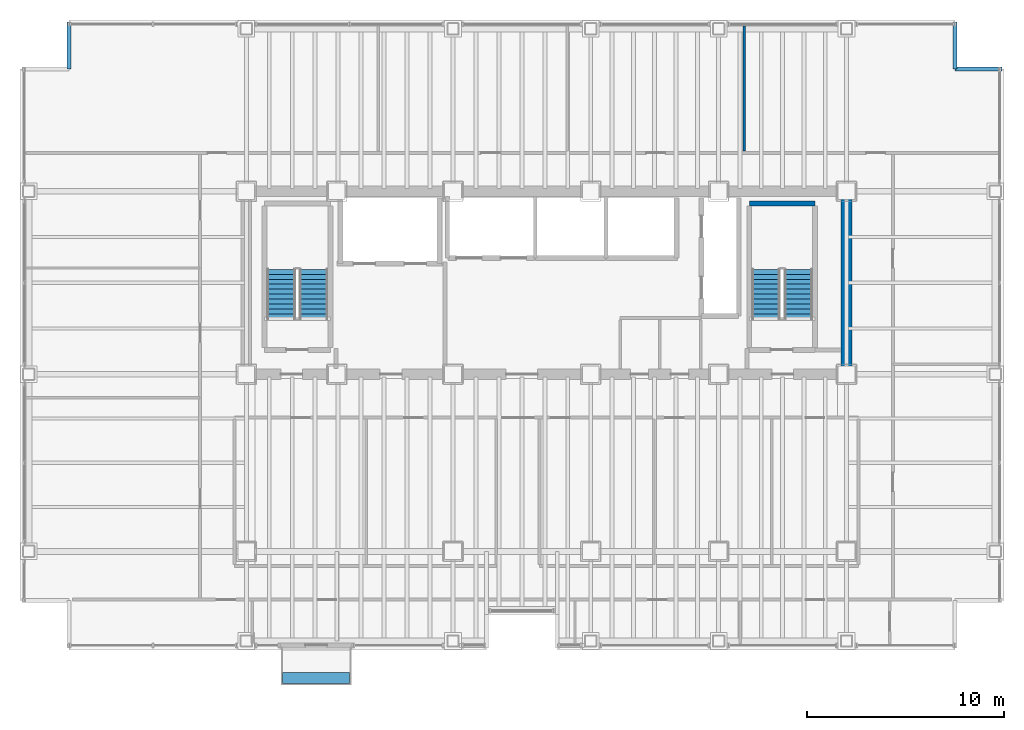
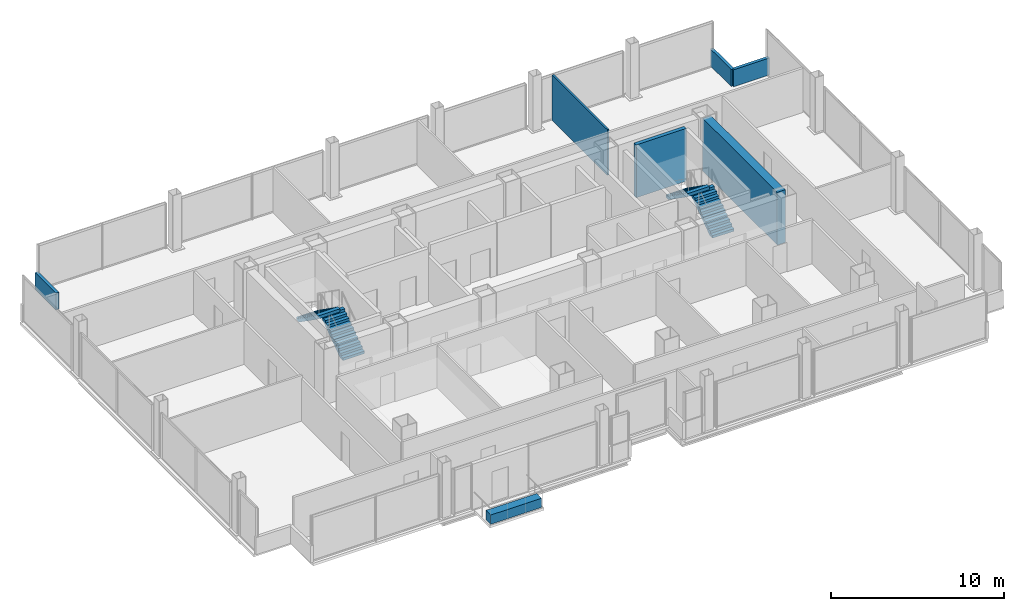
# One storey, part 20 of 21: 6 walls, 4 stair flights, 1 discrete accessory, 2 elements without a shape of their own.
"""IFC4 building model written with IfcOpenShell, lengths in metres."""

import ifcopenshell
import ifcopenshell.guid

model = None  # the IFC model being written
_history = None  # IfcOwnerHistory: only IFC2X3 demands one
_inside = {}  # id of a spatial element -> (the spatial element, [elements in it])
_under = {}  # id of a project, library or spatial element -> (it, [spatial elements below it])
_declared = {}  # id of a project -> (the project, [libraries it declares])
_typed = {}  # id of a type object -> (the type object, [elements of that type])
_made_of = {}  # id of a material, layer set ... -> (it, [elements and type objects made of it])


def new_model(schema):
    """Start an empty IFC model of exactly this schema.

    Asked for "IFC4X3", IfcOpenShell would pick the latest addendum, in which some entities
    have other attributes; the version numbers below select the first issue.
    IFC2X3 requires an IfcOwnerHistory on every rooted entity: one is made here for all.
    """
    global model, _history
    if schema == "IFC4X3":
        model = ifcopenshell.file(schema_version=(4, 3, 0, 0))
    else:
        model = ifcopenshell.file(schema=schema)
    _inside.clear()
    _under.clear()
    _declared.clear()
    _typed.clear()
    _made_of.clear()
    _history = None
    if model.schema == "IFC2X3":
        org = make("IfcOrganization", Name="unknown")
        user = make(
            "IfcPersonAndOrganization",
            ThePerson=make("IfcPerson", FamilyName="unknown"),
            TheOrganization=org,
        )
        app = make(
            "IfcApplication",
            ApplicationDeveloper=org,
            Version="unknown",
            ApplicationFullName="unknown",
            ApplicationIdentifier="unknown",
        )
        _history = make(
            "IfcOwnerHistory",
            OwningUser=user,
            OwningApplication=app,
            ChangeAction="ADDED",
            CreationDate=0,
        )
    return model


def make(cls, **values):
    """One entity of the class cls with the attributes given. An attribute that is None is left unset."""
    return model.create_entity(
        cls, **{name: value for name, value in values.items() if value is not None}
    )


def rooted(cls, **values):
    """An entity with a GlobalId (a new one), such as an element, a storey or a relation."""
    return make(cls, GlobalId=ifcopenshell.guid.new(), OwnerHistory=_history, **values)


def si_unit(unit_type, name, prefix=None):
    """IfcSIUnit, for example si_unit("LENGTHUNIT", "METRE", prefix="MILLI")."""
    return make("IfcSIUnit", UnitType=unit_type, Prefix=prefix, Name=name)


def assignment(units):
    """IfcUnitAssignment: the units of a project."""
    return None if units is None else make("IfcUnitAssignment", Units=units)


def point(xyz):
    """IfcCartesianPoint."""
    return None if xyz is None else make("IfcCartesianPoint", Coordinates=xyz)


def direction(xyz):
    """IfcDirection."""
    return None if xyz is None else make("IfcDirection", DirectionRatios=xyz)


def frame(location, z_axis=None, x_axis=None):
    """IfcAxis2Placement3D, a coordinate frame: its origin and axes. An axis left out is left unset."""
    return make(
        "IfcAxis2Placement3D",
        Location=point(location),
        Axis=direction(z_axis),
        RefDirection=direction(x_axis),
    )


def frame_2d(location, x_axis=None):
    """IfcAxis2Placement2D, a coordinate frame in the plane: its origin and x axis."""
    return make(
        "IfcAxis2Placement2D", Location=point(location), RefDirection=direction(x_axis)
    )


def origin():
    """The frame at (0, 0, 0) with its axes left unset."""
    return frame((0.0, 0.0, 0.0))


def origin_2d():
    """The frame at (0, 0) in the plane with its x axis left unset."""
    return frame_2d((0.0, 0.0))


def place(relative_to, where):
    """IfcLocalPlacement: puts the frame where relative to a parent placement (None: the world)."""
    return make(
        "IfcLocalPlacement", PlacementRelTo=relative_to, RelativePlacement=where
    )


def context(
    kind, dimensions, precision=None, world=None, true_north=None, identifier=None
):
    """IfcGeometricRepresentationContext, for example the 3D "Model" context."""
    return make(
        "IfcGeometricRepresentationContext",
        ContextIdentifier=identifier,
        ContextType=kind,
        CoordinateSpaceDimension=dimensions,
        Precision=precision,
        WorldCoordinateSystem=world,
        TrueNorth=true_north,
    )


def subcontext(parent, identifier, kind, view, scale=None):
    """IfcGeometricRepresentationSubContext, for example "Body" below "Model"."""
    return make(
        "IfcGeometricRepresentationSubContext",
        ContextIdentifier=identifier,
        ContextType=kind,
        ParentContext=parent,
        TargetScale=scale,
        TargetView=view,
    )


def project(units=None, contexts=None):
    """IfcProject with its units and contexts."""
    return rooted(
        "IfcProject",
        Name="project",
        RepresentationContexts=contexts,
        UnitsInContext=assignment(units),
    )


def spatial(cls, under=None, at=None, **own):
    """A site, building, storey or space (cls), placed at a placement, below another one or the project."""
    s = rooted(cls, ObjectPlacement=at, **own)
    if under is not None:
        _under.setdefault(under.id(), (under, []))[1].append(s)
    return s


def polyline(points):
    """IfcPolyline through the points."""
    return make("IfcPolyline", Points=[point(p) for p in points])


def profile(cls, at=None, kind="AREA", **sizes):
    """A parametric profile (cls). Its sizes go by their IFC names, for example OverallWidth=200.0."""
    return make(cls, ProfileType=kind, Position=at, **sizes)


def rectangle(**sizes):
    """IfcRectangleProfileDef."""
    return profile("IfcRectangleProfileDef", **sizes)


def outline(outer, holes=None, kind="AREA"):
    """IfcArbitraryClosedProfileDef: a profile drawn as a closed curve; with holes, ...WithVoids."""
    if holes is None:
        return make("IfcArbitraryClosedProfileDef", ProfileType=kind, OuterCurve=outer)
    return make(
        "IfcArbitraryProfileDefWithVoids",
        ProfileType=kind,
        OuterCurve=outer,
        InnerCurves=holes,
    )


def extrude(swept, where, along, depth):
    """IfcExtrudedAreaSolid: the profile swept, set in the frame where, extruded along a direction by depth."""
    return make(
        "IfcExtrudedAreaSolid",
        SweptArea=swept,
        Position=where,
        ExtrudedDirection=direction(along),
        Depth=depth,
    )


def shape(context_of_items, identifier, shape_type, items):
    """IfcShapeRepresentation: the items that make up one representation, for example the "Body"."""
    return make(
        "IfcShapeRepresentation",
        ContextOfItems=context_of_items,
        RepresentationIdentifier=identifier,
        RepresentationType=shape_type,
        Items=items,
    )


def material(Name=None, Category=None):
    """IfcMaterial."""
    return make("IfcMaterial", Name=Name, Category=Category)


def layer(
    of_material, thickness, ventilated=None, Name=None, Category=None, Priority=None
):
    """IfcMaterialLayer: one layer of a wall or slab, of a material (None: an air gap)."""
    return make(
        "IfcMaterialLayer",
        Material=of_material,
        LayerThickness=thickness,
        IsVentilated=ventilated,
        Name=Name,
        Category=Category,
        Priority=Priority,
    )


def layer_set(layers, Name=None):
    """IfcMaterialLayerSet."""
    return make("IfcMaterialLayerSet", MaterialLayers=layers, LayerSetName=Name)


def made_of(thing, what):
    """Note that an element or type object is made of a material, layer set ...; save() writes the relation."""
    if what is not None:
        _made_of.setdefault(what.id(), (what, []))[1].append(thing)
    return thing


def type_object(cls, material=None, **own):
    """A type object (cls), such as IfcWallType, which elements share."""
    return made_of(rooted(cls, **own), material)


def element(
    cls,
    number,
    at=None,
    inside=None,
    cuts=None,
    type_object=None,
    material=None,
    context=None,
    identifier="Body",
    shape_type=None,
    held_by="IfcProductDefinitionShape",
    body=None,
    shapes=None,
    **own,
):
    """One element of the class cls, such as IfcWall. Its Tag is "e" and its number.

    at: its placement. inside: the storey or other place that contains it. cuts: it is an
    opening in that element (IfcRelVoidsElement). A single representation is given by context,
    identifier, shape_type and body (its items); several are given by shapes. held_by: the class
    of the entity that holds the representations. save() writes the other relations.
    """
    e = rooted(cls, Tag="e%d" % number, ObjectPlacement=at, **own)
    if body is not None:
        shapes = [shape(context, identifier, shape_type, body)]
    if shapes is not None:
        e.Representation = make(held_by, Representations=shapes)
    if inside is not None:
        _inside.setdefault(inside.id(), (inside, []))[1].append(e)
    if cuts is not None:
        rooted(
            "IfcRelVoidsElement", RelatingBuildingElement=cuts, RelatedOpeningElement=e
        )
    if type_object is not None:
        _typed.setdefault(type_object.id(), (type_object, []))[1].append(e)
    return made_of(e, material)


def aggregate(whole, parts):
    """IfcRelAggregates: a whole, such as a stair, and the parts it consists of."""
    return rooted("IfcRelAggregates", RelatingObject=whole, RelatedObjects=parts)


def save(model, path):
    """Write the relations noted so far, then the file.

    IfcRelAggregates (storeys below a building ...), IfcRelContainedInSpatialStructure (elements
    in a storey), IfcRelDefinesByType, IfcRelAssociatesMaterial and IfcRelDeclares: one each for
    every whole, place, type object, material and project.
    """
    for whole, parts in _under.values():
        aggregate(whole, parts)
    for where, things in _inside.values():
        rooted(
            "IfcRelContainedInSpatialStructure",
            RelatedElements=things,
            RelatingStructure=where,
        )
    for kind, things in _typed.values():
        rooted("IfcRelDefinesByType", RelatedObjects=things, RelatingType=kind)
    for what, things in _made_of.values():
        rooted("IfcRelAssociatesMaterial", RelatedObjects=things, RelatingMaterial=what)
    for by, libraries in _declared.values():
        rooted("IfcRelDeclares", RelatingContext=by, RelatedDefinitions=libraries)
    model.write(path)


model = new_model("IFC4")

# Units and contexts
model_context = context("Model", 3, precision=1e-05, world=origin(), true_north=direction((0.0, 1.0)))
body_context = subcontext(model_context, "Body", "Model", "MODEL_VIEW")
ifc_project = project(units=[si_unit("LENGTHUNIT", "METRE"), si_unit("AREAUNIT", "SQUARE_METRE"), si_unit("VOLUMEUNIT", "CUBIC_METRE"), si_unit("PLANEANGLEUNIT", "RADIAN"), si_unit("MASSUNIT", "GRAM", prefix="KILO")], contexts=[model_context])

# Site, building, storey
site_placement = place(None, origin())
site = spatial("IfcSite", under=ifc_project, at=site_placement, CompositionType="ELEMENT")
building_placement = place(site_placement, origin())
building = spatial("IfcBuilding", under=site, at=building_placement, Name="Noeulbin Bourse Tower", CompositionType="ELEMENT")
storey_placement = place(building_placement, frame((0.0, 0.0, 34.300048828125)))
storey = spatial("IfcBuildingStorey", under=building, at=storey_placement, Name="L08", CompositionType="ELEMENT", Elevation=34.300048828125)

# Walls
ifc_material_1 = material(Name="Concrete C60/75", Category="concrete")
ifc_layer_1 = layer(ifc_material_1, 0.550048828125)
ifc_layer_set_1 = layer_set([ifc_layer_1], Name="Concrete C60/75")
wall_type_1 = type_object("IfcWallType", Name="WAL-CORE-550", PredefinedType="SHEAR", material=ifc_layer_set_1)
wall_1_placement = place(storey_placement, frame((44.0, 29.35009765625, 0.0), z_axis=(0.0, 0.0, 1.0), x_axis=(0.0, 1.0, 0.0)))
element("IfcWall", 1, at=wall_1_placement, inside=storey, type_object=wall_type_1, Name="Rear Core East Shear Wall L08", PredefinedType="SHEAR", context=body_context, shape_type="SweptSolid", body=[
    extrude(rectangle(XDim=8.599853515625, YDim=0.550048828125, at=frame_2d((4.2998046875, 0.0))), origin(), (0.0, 0.0, 1.0), 3.719970703125),
])
ifc_material_2 = material(Name="Concrete C40/50", Category="concrete")
ifc_layer_2 = layer(ifc_material_2, 0.199951171875)
ifc_layer_set_2 = layer_set([ifc_layer_2], Name="Concrete C40/50")
wall_type_2 = type_object("IfcWallType", Name="WAL-PAR-200", PredefinedType="PARAPET", material=ifc_layer_set_2)
for number, where, z_axis, x_axis, name in (
    (2, (4.5, 44.5, 0.0), (0.0, 0.0, 1.0), (0.0, 1.0, 0.0), "Corner Notch Parapet L08-NW2"),
    (3, (49.5, 46.89990234375, 0.0), (0.0, 0.0, 1.0), (0.0, -1.0, 0.0), "Corner Notch Parapet L08-NE1"),
    (4, (49.5, 44.5, 0.0), (0.0, 0.0, 1.0), (1.0, 0.0, 0.0), "Corner Notch Parapet L08-NE2"),
):
    element("IfcWall", number, at=place(storey_placement, frame(where, z_axis=z_axis, x_axis=x_axis)), inside=storey, type_object=wall_type_2, Name=name, PredefinedType="PARAPET", context=body_context, shape_type="SweptSolid", body=[
        extrude(rectangle(XDim=2.39990234375, YDim=0.199951171875, at=frame_2d((1.199951171875, 0.0))), origin(), (0.0, 0.0, 1.0), 1.199951171875),
    ])
ifc_material_3 = material(Name="Steel Stud Gypsum Partition", Category="steel")
ifc_layer_3 = layer(ifc_material_3, 0.1201171875)
ifc_layer_set_3 = layer_set([ifc_layer_3], Name="Steel Stud Gypsum Partition")
wall_type_3 = type_object("IfcWallType", Name="WAL-PRT-120", PredefinedType="PARTITIONING", material=ifc_layer_set_3)
wall_2_placement = place(storey_placement, frame((38.800048828125, 40.3349609375, 0.0), z_axis=(0.0, 0.0, 1.0), x_axis=(0.0, 1.0, 0.0)))
element("IfcWall", 5, at=wall_2_placement, inside=storey, type_object=wall_type_3, Name="Interior Partition Wall L08-32", PredefinedType="PARTITIONING", context=body_context, shape_type="SweptSolid", body=[
    extrude(rectangle(XDim=6.35498046875, YDim=0.1201171875, at=frame_2d((3.177490234375, 0.0))), origin(), (0.0, 0.0, 1.0), 3.2119140625),
])
ifc_layer_4 = layer(ifc_material_2, 0.25)
ifc_layer_set_4 = layer_set([ifc_layer_4], Name="Concrete C40/50")
wall_type_4 = type_object("IfcWallType", Name="WAL-SHFT-250", PredefinedType="STANDARD", material=ifc_layer_set_4)
wall_3_placement = place(storey_placement, frame((39.06005859375, 37.6689453125, 0.0), z_axis=(0.0, 0.0, 1.0), x_axis=(1.0, 0.0, 0.0)))
element("IfcWall", 6, at=wall_3_placement, inside=storey, type_object=wall_type_4, Name="Stair ST-2 North Shaft Wall L08", PredefinedType="STANDARD", context=body_context, shape_type="SweptSolid", body=[
    extrude(rectangle(XDim=3.33984375, YDim=0.25, at=frame_2d((1.669921875, 0.0))), origin(), (0.0, 0.0, 1.0), 3.719970703125),
])

# Stair, stair flights
stair_type = type_object("IfcStairType", Name="STR-CORE-1560", PredefinedType="HALF_TURN_STAIR", material=ifc_material_2)
stair_1_placement = place(storey_placement, origin())
stair_1 = element("IfcStair", 7, at=stair_1_placement, inside=storey, type_object=stair_type, Name="L08 ST-1", PredefinedType="HALF_TURN_STAIR")
stair_flight_type = type_object("IfcStairFlightType", Name="SFL-CORE-1560", PredefinedType="STRAIGHT", material=ifc_material_2)
stair_flight_1_placement = place(storey_placement, frame((16.925048828125, 31.81005859375, 0.0), z_axis=(0.0, 0.0, 1.0), x_axis=(0.0, 1.0, 0.0)))
stair_flight_1 = element("IfcStairFlight", 8, at=stair_flight_1_placement, type_object=stair_flight_type, Name="ST-1 flight 1", NumberOfRisers=11, NumberOfTreads=10, PredefinedType="STRAIGHT", RiserHeight=0.177272727, TreadLength=0.252, context=body_context, shape_type="SweptSolid", body=[
    extrude(outline(polyline([(0.0, 0.0), (0.0, 0.17724609375), (0.251953125, 0.17724609375), (0.251953125, 0.3544921875), (0.50390625, 0.3544921875), (0.50390625, 0.53173828125), (0.756103515625, 0.53173828125), (0.756103515625, 0.708984375), (1.008056640625, 0.708984375), (1.008056640625, 0.886474609375), (1.260009765625, 0.886474609375), (1.260009765625, 1.063720703125), (1.511962890625, 1.063720703125), (1.511962890625, 1.240966796875), (1.763916015625, 1.240966796875), (1.763916015625, 1.418212890625), (2.01611328125, 1.418212890625), (2.01611328125, 1.595458984375), (2.26806640625, 1.595458984375), (2.26806640625, 1.772705078125), (2.52001953125, 1.772705078125), (2.52001953125, 1.949951171875), (2.52001953125, 1.552734375), (0.312744140625, 0.0), (0.0, 0.0)])), frame((0.0, 0.72509765625, 0.0), z_axis=(0.0, -1.0, 0.0), x_axis=(1.0, 0.0, 0.0)), (0.0, 0.0, 1.0), 1.449951171875),
])
stair_flight_2_placement = place(storey_placement, frame((15.27490234375, 34.330078125, 1.949951171875), z_axis=(0.0, 0.0, 1.0), x_axis=(0.0, -1.0, 0.0)))
stair_flight_2 = element("IfcStairFlight", 9, at=stair_flight_2_placement, type_object=stair_flight_type, Name="ST-1 flight 2", NumberOfRisers=11, NumberOfTreads=10, PredefinedType="STRAIGHT", RiserHeight=0.177272727, TreadLength=0.252, context=body_context, shape_type="SweptSolid", body=[
    extrude(outline(polyline([(0.0, 0.0), (0.0, 0.17724609375), (0.251953125, 0.17724609375), (0.251953125, 0.3544921875), (0.50390625, 0.3544921875), (0.50390625, 0.53173828125), (0.756103515625, 0.53173828125), (0.756103515625, 0.708984375), (1.008056640625, 0.708984375), (1.008056640625, 0.886474609375), (1.260009765625, 0.886474609375), (1.260009765625, 1.063720703125), (1.511962890625, 1.063720703125), (1.511962890625, 1.240966796875), (1.763916015625, 1.240966796875), (1.763916015625, 1.418212890625), (2.01611328125, 1.418212890625), (2.01611328125, 1.595458984375), (2.26806640625, 1.595458984375), (2.26806640625, 1.772705078125), (2.52001953125, 1.772705078125), (2.52001953125, 1.949951171875), (2.52001953125, 1.552734375), (0.312744140625, 0.0), (0.0, 0.0)])), frame((0.0, 0.72509765625, 0.0), z_axis=(0.0, -1.0, 0.0), x_axis=(1.0, 0.0, 0.0)), (0.0, 0.0, 1.0), 1.449951171875),
])
aggregate(stair_1, [stair_flight_1, stair_flight_2])

stair_2_placement = place(storey_placement, origin())
stair_2 = element("IfcStair", 10, at=stair_2_placement, inside=storey, type_object=stair_type, Name="L08 ST-2", PredefinedType="HALF_TURN_STAIR")
stair_flight_3_placement = place(storey_placement, frame((41.554931640625, 31.81005859375, 0.0), z_axis=(0.0, 0.0, 1.0), x_axis=(0.0, 1.0, 0.0)))
stair_flight_3 = element("IfcStairFlight", 11, at=stair_flight_3_placement, type_object=stair_flight_type, Name="ST-2 flight 1", NumberOfRisers=11, NumberOfTreads=10, PredefinedType="STRAIGHT", RiserHeight=0.177272727, TreadLength=0.252, context=body_context, shape_type="SweptSolid", body=[
    extrude(outline(polyline([(0.0, 0.0), (0.0, 0.17724609375), (0.251953125, 0.17724609375), (0.251953125, 0.3544921875), (0.50390625, 0.3544921875), (0.50390625, 0.53173828125), (0.756103515625, 0.53173828125), (0.756103515625, 0.708984375), (1.008056640625, 0.708984375), (1.008056640625, 0.886474609375), (1.260009765625, 0.886474609375), (1.260009765625, 1.063720703125), (1.511962890625, 1.063720703125), (1.511962890625, 1.240966796875), (1.763916015625, 1.240966796875), (1.763916015625, 1.418212890625), (2.01611328125, 1.418212890625), (2.01611328125, 1.595458984375), (2.26806640625, 1.595458984375), (2.26806640625, 1.772705078125), (2.52001953125, 1.772705078125), (2.52001953125, 1.949951171875), (2.52001953125, 1.552734375), (0.312744140625, 0.0), (0.0, 0.0)])), frame((0.0, 0.72509765625, 0.0), z_axis=(0.0, -1.0, 0.0), x_axis=(1.0, 0.0, 0.0)), (0.0, 0.0, 1.0), 1.449951171875),
])
stair_flight_4_placement = place(storey_placement, frame((39.905029296875, 34.330078125, 1.949951171875), z_axis=(0.0, 0.0, 1.0), x_axis=(0.0, -1.0, 0.0)))
stair_flight_4 = element("IfcStairFlight", 12, at=stair_flight_4_placement, type_object=stair_flight_type, Name="ST-2 flight 2", NumberOfRisers=11, NumberOfTreads=10, PredefinedType="STRAIGHT", RiserHeight=0.177272727, TreadLength=0.252, context=body_context, shape_type="SweptSolid", body=[
    extrude(outline(polyline([(0.0, 0.0), (0.0, 0.17724609375), (0.251953125, 0.17724609375), (0.251953125, 0.3544921875), (0.50390625, 0.3544921875), (0.50390625, 0.53173828125), (0.756103515625, 0.53173828125), (0.756103515625, 0.708984375), (1.008056640625, 0.708984375), (1.008056640625, 0.886474609375), (1.260009765625, 0.886474609375), (1.260009765625, 1.063720703125), (1.511962890625, 1.063720703125), (1.511962890625, 1.240966796875), (1.763916015625, 1.240966796875), (1.763916015625, 1.418212890625), (2.01611328125, 1.418212890625), (2.01611328125, 1.595458984375), (2.26806640625, 1.595458984375), (2.26806640625, 1.772705078125), (2.52001953125, 1.772705078125), (2.52001953125, 1.949951171875), (2.52001953125, 1.552734375), (0.312744140625, 0.0), (0.0, 0.0)])), frame((0.0, 0.72509765625, 0.0), z_axis=(0.0, -1.0, 0.0), x_axis=(1.0, 0.0, 0.0)), (0.0, 0.0, 1.0), 1.449951171875),
])
aggregate(stair_2, [stair_flight_3, stair_flight_4])

# Discrete accessory
ifc_material_4 = material(Name="Architectural GFRC Concrete C40/50", Category="concrete")
ifc_layer_5 = layer(ifc_material_4, 0.64990234375)
ifc_layer_set_5 = layer_set([ifc_layer_5], Name="Architectural GFRC Concrete C40/50")
discrete_accessory_type = type_object("IfcDiscreteAccessoryType", Name="PLANTER-BOX-3600", PredefinedType="USERDEFINED", material=ifc_layer_set_5)
discrete_accessory_placement = place(storey_placement, frame((17.050048828125, 13.56005859375, 0.0), z_axis=(0.0, 0.0, 1.0), x_axis=(1.0, 0.0, 0.0)))
element("IfcDiscreteAccessory", 13, at=discrete_accessory_placement, inside=storey, type_object=discrete_accessory_type, Name="Integrated Balcony Tree Planter Box L08", ObjectType="PLANTER", PredefinedType="USERDEFINED", context=body_context, shape_type="SweptSolid", body=[
    extrude(rectangle(XDim=3.39990234375, YDim=0.550048828125, at=origin_2d()), origin(), (0.0, 0.0, 1.0), 0.64990234375),
])

save(model, "model.ifc")
